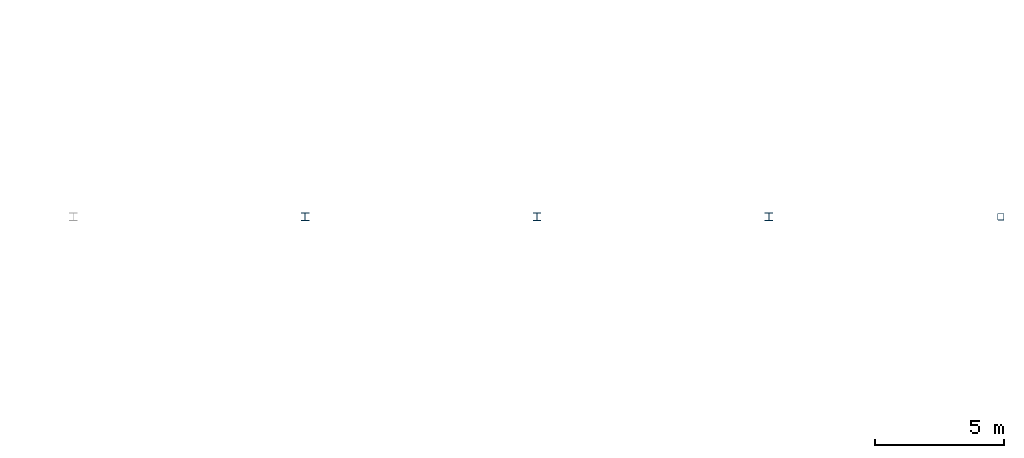
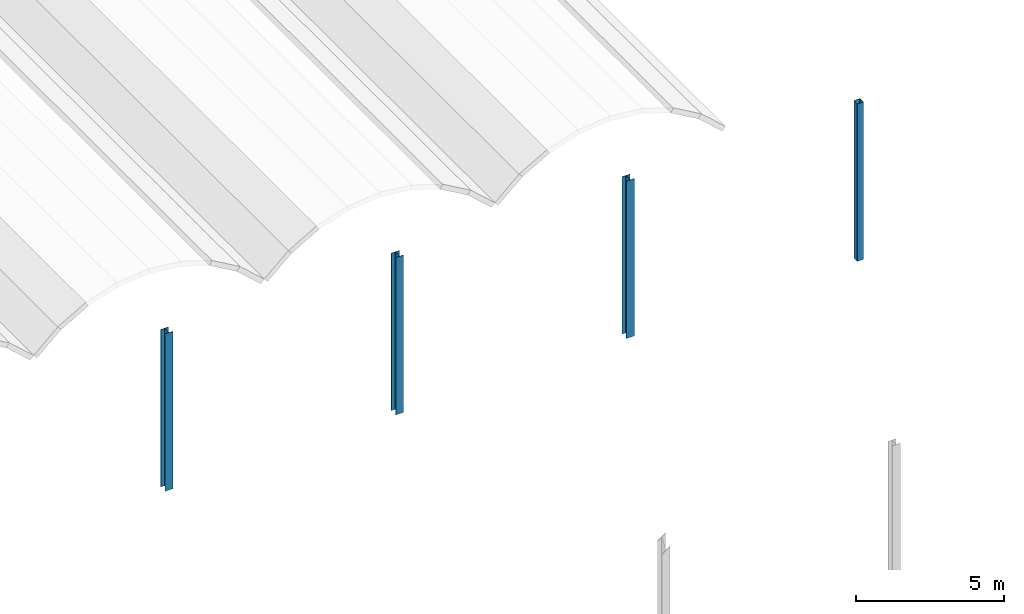
# One storey, part 4 of 5: 4 columns.
"""IFC4 building model written with IfcOpenShell, lengths in metres."""

from ifc_helpers import new_model, si_unit, direction, frame, origin, origin_2d, place, context, subcontext, project, spatial, hollow_rectangle, i_section, extrude, material, material_profile, profile_set, type_object, element, save


model = new_model("IFC4")

# Units and contexts
model_context = context("Model", 3, precision=1e-05, world=origin(), true_north=direction((0.0, 1.0)))
body_context = subcontext(model_context, "Body", "Model", "MODEL_VIEW")
ifc_project = project(units=[si_unit("LENGTHUNIT", "METRE"), si_unit("AREAUNIT", "SQUARE_METRE"), si_unit("VOLUMEUNIT", "CUBIC_METRE"), si_unit("PLANEANGLEUNIT", "RADIAN"), si_unit("MASSUNIT", "GRAM", prefix="KILO")], contexts=[model_context])

# Site, building, storey
site_placement = place(None, origin())
site = spatial("IfcSite", under=ifc_project, at=site_placement, CompositionType="ELEMENT")
building_placement = place(site_placement, origin())
building = spatial("IfcBuilding", under=site, at=building_placement, Name="Shorebreak Coast Museum", CompositionType="ELEMENT")
storey_placement = place(building_placement, frame((0.0, 0.0, 44.0)))
storey = spatial("IfcBuildingStorey", under=building, at=storey_placement, Name="Roof", CompositionType="ELEMENT", Elevation=44.0)

# Columns
ifc_material_1 = material(Name="Steel Grade C450L0", Category="steel")
ifc_material_profile_1 = material_profile(ifc_material_1, hollow_rectangle(XDim=0.25, YDim=0.25, WallThickness=0.009033203125, InnerFilletRadius=0.013427734375, OuterFilletRadius=0.0224609375, at=origin_2d()), Name="250x250x9.0 SHS")
ifc_profile_set_1 = profile_set([ifc_material_profile_1], Name="Steel Grade C450L0")
column_type_1 = type_object("IfcColumnType", Name="Column 250x250x9.0 SHS", PredefinedType="COLUMN", material=ifc_profile_set_1)
column_placement = place(storey_placement, frame((117.0, 81.0, 0.0), z_axis=(0.0, 0.0, 1.0), x_axis=(1.0, 0.0, 0.0)))
element("IfcColumn", 1, at=column_placement, inside=storey, type_object=column_type_1, Name="Column Roof 14K", PredefinedType="COLUMN", context=body_context, shape_type="SweptSolid", body=[
    extrude(hollow_rectangle(XDim=0.25, YDim=0.25, WallThickness=0.009033203125, InnerFilletRadius=0.013427734375, OuterFilletRadius=0.0224609375, at=origin_2d()), origin(), (0.0, 0.0, 1.0), 6.489990234375),
])
ifc_material_2 = material(Name="Steel Grade 300", Category="steel")
ifc_material_profile_2 = material_profile(ifc_material_2, i_section(OverallWidth=0.306884765625, OverallDepth=0.314697265625, WebThickness=0.011962890625, FlangeThickness=0.018798828125, FilletRadius=0.0166015625, at=origin_2d()), Name="310UC118")
ifc_profile_set_2 = profile_set([ifc_material_profile_2], Name="Steel Grade 300")
column_type_2 = type_object("IfcColumnType", Name="Column 310UC118", PredefinedType="COLUMN", material=ifc_profile_set_2)
for number, where, z_axis, x_axis, name in (
    (2, (90.0, 81.0, 0.0), (0.0, 0.0, 1.0), (1.0, 0.0, 0.0), "Column Roof 11K"),
    (3, (99.0, 81.0, 0.0), (0.0, 0.0, 1.0), (1.0, 0.0, 0.0), "Column Roof 12K"),
    (4, (108.0, 81.0, 0.0), (0.0, 0.0, 1.0), (1.0, 0.0, 0.0), "Column Roof 13K"),
):
    element("IfcColumn", number, at=place(storey_placement, frame(where, z_axis=z_axis, x_axis=x_axis)), inside=storey, type_object=column_type_2, Name=name, PredefinedType="COLUMN", context=body_context, shape_type="SweptSolid", body=[
        extrude(i_section(OverallWidth=0.306884765625, OverallDepth=0.314697265625, WebThickness=0.011962890625, FlangeThickness=0.018798828125, FilletRadius=0.0166015625, at=origin_2d()), origin(), (0.0, 0.0, 1.0), 6.489990234375),
    ])

save(model, "model.ifc")
